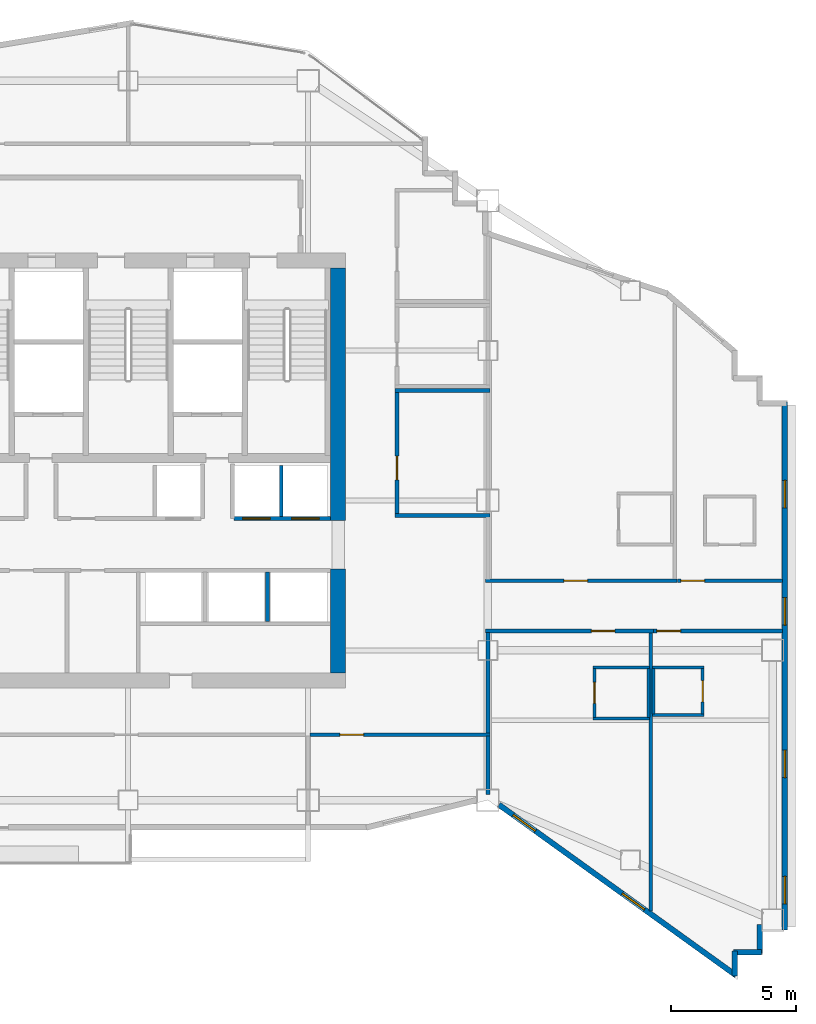
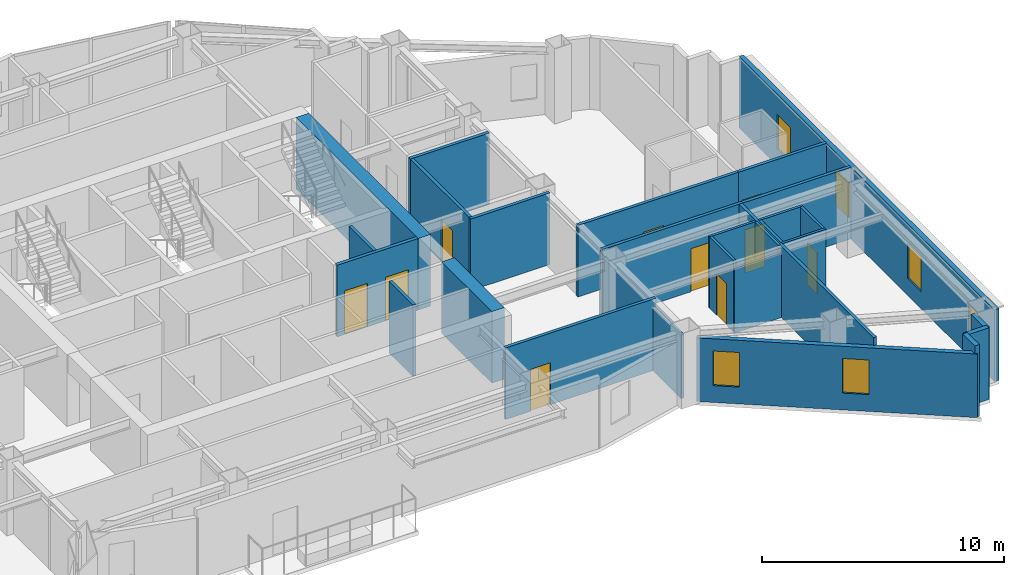
# One storey, part 7 of 12: 29 walls, 10 doors, 6 windows, 16 openings.
"""IFC4 building model written with IfcOpenShell, lengths in metres."""

import ifcopenshell
import ifcopenshell.guid

model = None  # the IFC model being written
_history = None  # IfcOwnerHistory: only IFC2X3 demands one
_inside = {}  # id of a spatial element -> (the spatial element, [elements in it])
_under = {}  # id of a project, library or spatial element -> (it, [spatial elements below it])
_declared = {}  # id of a project -> (the project, [libraries it declares])
_typed = {}  # id of a type object -> (the type object, [elements of that type])
_made_of = {}  # id of a material, layer set ... -> (it, [elements and type objects made of it])


def new_model(schema):
    """Start an empty IFC model of exactly this schema.

    Asked for "IFC4X3", IfcOpenShell would pick the latest addendum, in which some entities
    have other attributes; the version numbers below select the first issue.
    IFC2X3 requires an IfcOwnerHistory on every rooted entity: one is made here for all.
    """
    global model, _history
    if schema == "IFC4X3":
        model = ifcopenshell.file(schema_version=(4, 3, 0, 0))
    else:
        model = ifcopenshell.file(schema=schema)
    _inside.clear()
    _under.clear()
    _declared.clear()
    _typed.clear()
    _made_of.clear()
    _history = None
    if model.schema == "IFC2X3":
        org = make("IfcOrganization", Name="unknown")
        user = make(
            "IfcPersonAndOrganization",
            ThePerson=make("IfcPerson", FamilyName="unknown"),
            TheOrganization=org,
        )
        app = make(
            "IfcApplication",
            ApplicationDeveloper=org,
            Version="unknown",
            ApplicationFullName="unknown",
            ApplicationIdentifier="unknown",
        )
        _history = make(
            "IfcOwnerHistory",
            OwningUser=user,
            OwningApplication=app,
            ChangeAction="ADDED",
            CreationDate=0,
        )
    return model


def make(cls, **values):
    """One entity of the class cls with the attributes given. An attribute that is None is left unset."""
    return model.create_entity(
        cls, **{name: value for name, value in values.items() if value is not None}
    )


def rooted(cls, **values):
    """An entity with a GlobalId (a new one), such as an element, a storey or a relation."""
    return make(cls, GlobalId=ifcopenshell.guid.new(), OwnerHistory=_history, **values)


def si_unit(unit_type, name, prefix=None):
    """IfcSIUnit, for example si_unit("LENGTHUNIT", "METRE", prefix="MILLI")."""
    return make("IfcSIUnit", UnitType=unit_type, Prefix=prefix, Name=name)


def assignment(units):
    """IfcUnitAssignment: the units of a project."""
    return None if units is None else make("IfcUnitAssignment", Units=units)


def point(xyz):
    """IfcCartesianPoint."""
    return None if xyz is None else make("IfcCartesianPoint", Coordinates=xyz)


def direction(xyz):
    """IfcDirection."""
    return None if xyz is None else make("IfcDirection", DirectionRatios=xyz)


def frame(location, z_axis=None, x_axis=None):
    """IfcAxis2Placement3D, a coordinate frame: its origin and axes. An axis left out is left unset."""
    return make(
        "IfcAxis2Placement3D",
        Location=point(location),
        Axis=direction(z_axis),
        RefDirection=direction(x_axis),
    )


def frame_2d(location, x_axis=None):
    """IfcAxis2Placement2D, a coordinate frame in the plane: its origin and x axis."""
    return make(
        "IfcAxis2Placement2D", Location=point(location), RefDirection=direction(x_axis)
    )


def origin():
    """The frame at (0, 0, 0) with its axes left unset."""
    return frame((0.0, 0.0, 0.0))


def place(relative_to, where):
    """IfcLocalPlacement: puts the frame where relative to a parent placement (None: the world)."""
    return make(
        "IfcLocalPlacement", PlacementRelTo=relative_to, RelativePlacement=where
    )


def context(
    kind, dimensions, precision=None, world=None, true_north=None, identifier=None
):
    """IfcGeometricRepresentationContext, for example the 3D "Model" context."""
    return make(
        "IfcGeometricRepresentationContext",
        ContextIdentifier=identifier,
        ContextType=kind,
        CoordinateSpaceDimension=dimensions,
        Precision=precision,
        WorldCoordinateSystem=world,
        TrueNorth=true_north,
    )


def subcontext(parent, identifier, kind, view, scale=None):
    """IfcGeometricRepresentationSubContext, for example "Body" below "Model"."""
    return make(
        "IfcGeometricRepresentationSubContext",
        ContextIdentifier=identifier,
        ContextType=kind,
        ParentContext=parent,
        TargetScale=scale,
        TargetView=view,
    )


def project(units=None, contexts=None):
    """IfcProject with its units and contexts."""
    return rooted(
        "IfcProject",
        Name="project",
        RepresentationContexts=contexts,
        UnitsInContext=assignment(units),
    )


def spatial(cls, under=None, at=None, **own):
    """A site, building, storey or space (cls), placed at a placement, below another one or the project."""
    s = rooted(cls, ObjectPlacement=at, **own)
    if under is not None:
        _under.setdefault(under.id(), (under, []))[1].append(s)
    return s


def profile(cls, at=None, kind="AREA", **sizes):
    """A parametric profile (cls). Its sizes go by their IFC names, for example OverallWidth=200.0."""
    return make(cls, ProfileType=kind, Position=at, **sizes)


def rectangle(**sizes):
    """IfcRectangleProfileDef."""
    return profile("IfcRectangleProfileDef", **sizes)


def extrude(swept, where, along, depth):
    """IfcExtrudedAreaSolid: the profile swept, set in the frame where, extruded along a direction by depth."""
    return make(
        "IfcExtrudedAreaSolid",
        SweptArea=swept,
        Position=where,
        ExtrudedDirection=direction(along),
        Depth=depth,
    )


def shape(context_of_items, identifier, shape_type, items):
    """IfcShapeRepresentation: the items that make up one representation, for example the "Body"."""
    return make(
        "IfcShapeRepresentation",
        ContextOfItems=context_of_items,
        RepresentationIdentifier=identifier,
        RepresentationType=shape_type,
        Items=items,
    )


def material(Name=None, Category=None):
    """IfcMaterial."""
    return make("IfcMaterial", Name=Name, Category=Category)


def layer(
    of_material, thickness, ventilated=None, Name=None, Category=None, Priority=None
):
    """IfcMaterialLayer: one layer of a wall or slab, of a material (None: an air gap)."""
    return make(
        "IfcMaterialLayer",
        Material=of_material,
        LayerThickness=thickness,
        IsVentilated=ventilated,
        Name=Name,
        Category=Category,
        Priority=Priority,
    )


def layer_set(layers, Name=None):
    """IfcMaterialLayerSet."""
    return make("IfcMaterialLayerSet", MaterialLayers=layers, LayerSetName=Name)


def made_of(thing, what):
    """Note that an element or type object is made of a material, layer set ...; save() writes the relation."""
    if what is not None:
        _made_of.setdefault(what.id(), (what, []))[1].append(thing)
    return thing


def type_object(cls, material=None, **own):
    """A type object (cls), such as IfcWallType, which elements share."""
    return made_of(rooted(cls, **own), material)


def element(
    cls,
    number,
    at=None,
    inside=None,
    cuts=None,
    type_object=None,
    material=None,
    context=None,
    identifier="Body",
    shape_type=None,
    held_by="IfcProductDefinitionShape",
    body=None,
    shapes=None,
    **own,
):
    """One element of the class cls, such as IfcWall. Its Tag is "e" and its number.

    at: its placement. inside: the storey or other place that contains it. cuts: it is an
    opening in that element (IfcRelVoidsElement). A single representation is given by context,
    identifier, shape_type and body (its items); several are given by shapes. held_by: the class
    of the entity that holds the representations. save() writes the other relations.
    """
    e = rooted(cls, Tag="e%d" % number, ObjectPlacement=at, **own)
    if body is not None:
        shapes = [shape(context, identifier, shape_type, body)]
    if shapes is not None:
        e.Representation = make(held_by, Representations=shapes)
    if inside is not None:
        _inside.setdefault(inside.id(), (inside, []))[1].append(e)
    if cuts is not None:
        rooted(
            "IfcRelVoidsElement", RelatingBuildingElement=cuts, RelatedOpeningElement=e
        )
    if type_object is not None:
        _typed.setdefault(type_object.id(), (type_object, []))[1].append(e)
    return made_of(e, material)


def fill(opening, filler):
    """IfcRelFillsElement: the door or window that sits in an opening."""
    return rooted(
        "IfcRelFillsElement",
        RelatingOpeningElement=opening,
        RelatedBuildingElement=filler,
    )


def aggregate(whole, parts):
    """IfcRelAggregates: a whole, such as a stair, and the parts it consists of."""
    return rooted("IfcRelAggregates", RelatingObject=whole, RelatedObjects=parts)


def save(model, path):
    """Write the relations noted so far, then the file.

    IfcRelAggregates (storeys below a building ...), IfcRelContainedInSpatialStructure (elements
    in a storey), IfcRelDefinesByType, IfcRelAssociatesMaterial and IfcRelDeclares: one each for
    every whole, place, type object, material and project.
    """
    for whole, parts in _under.values():
        aggregate(whole, parts)
    for where, things in _inside.values():
        rooted(
            "IfcRelContainedInSpatialStructure",
            RelatedElements=things,
            RelatingStructure=where,
        )
    for kind, things in _typed.values():
        rooted("IfcRelDefinesByType", RelatedObjects=things, RelatingType=kind)
    for what, things in _made_of.values():
        rooted("IfcRelAssociatesMaterial", RelatedObjects=things, RelatingMaterial=what)
    for by, libraries in _declared.values():
        rooted("IfcRelDeclares", RelatingContext=by, RelatedDefinitions=libraries)
    model.write(path)


model = new_model("IFC4")

# Units and contexts
model_context = context("Model", 3, precision=1e-05, world=origin(), true_north=direction((0.0, 1.0)))
body_context = subcontext(model_context, "Body", "Model", "MODEL_VIEW")
ifc_project = project(units=[si_unit("LENGTHUNIT", "METRE"), si_unit("AREAUNIT", "SQUARE_METRE"), si_unit("VOLUMEUNIT", "CUBIC_METRE"), si_unit("PLANEANGLEUNIT", "RADIAN"), si_unit("MASSUNIT", "GRAM", prefix="KILO")], contexts=[model_context])

# Site, building, storey
site_placement = place(None, origin())
site = spatial("IfcSite", under=ifc_project, at=site_placement, CompositionType="ELEMENT")
building_placement = place(site_placement, origin())
building = spatial("IfcBuilding", under=site, at=building_placement, Name="Haolan Belvedere Tower", CompositionType="ELEMENT")
storey_placement = place(building_placement, frame((0.0, 0.0, 184.199951171875)))
storey = spatial("IfcBuildingStorey", under=building, at=storey_placement, Name="L46", CompositionType="ELEMENT", Elevation=184.199951171875)

# Walls
ifc_material_1 = material(Name="Concrete C60/75", Category="concrete")
ifc_layer_1 = layer(ifc_material_1, 0.60009765625, Name="Concrete C60/75")
ifc_layer_set_1 = layer_set([ifc_layer_1], Name="Concrete C60/75")
wall_type_1 = type_object("IfcWallType", Name="WL-CORE-600", PredefinedType="SHEAR", material=ifc_layer_set_1)
wall_1_placement = place(storey_placement, frame((46.800048828125, 26.699951171875, 0.0), z_axis=(0.0, 0.0, 1.0), x_axis=(0.0, 1.0, 0.0)))
element("IfcWall", 1, at=wall_1_placement, inside=storey, type_object=wall_type_1, Name="L46 central core shear wall ES", PredefinedType="SHEAR", context=body_context, shape_type="SweptSolid", body=[
    extrude(rectangle(XDim=4.150146484375, YDim=0.60009765625, at=frame_2d((2.0751953125, 0.0))), origin(), (0.0, 0.0, 1.0), 3.6201171875),
])
wall_2_placement = place(storey_placement, frame((46.800048828125, 32.800048828125, 0.0), z_axis=(0.0, 0.0, 1.0), x_axis=(0.0, 1.0, 0.0)))
element("IfcWall", 2, at=wall_2_placement, inside=storey, type_object=wall_type_1, Name="L46 central core shear wall EN", PredefinedType="SHEAR", context=body_context, shape_type="SweptSolid", body=[
    extrude(rectangle(XDim=10.099853515625, YDim=0.60009765625, at=frame_2d((5.0498046875, 0.0))), origin(), (0.0, 0.0, 1.0), 3.6201171875),
])

# Wall, openings, windows
ifc_material_2 = material(Name="Precast concrete C40/50", Category="concrete")
ifc_layer_2 = layer(ifc_material_2, 0.219970703125, Name="Precast concrete C40/50")
ifc_layer_set_2 = layer_set([ifc_layer_2], Name="Precast concrete C40/50")
wall_type_2 = type_object("IfcWallType", Name="WL-EXT-220", PredefinedType="SOLIDWALL", material=ifc_layer_set_2)
wall_3_placement = place(storey_placement, frame((53.241943359375, 21.417236328125, 0.0), z_axis=(0.0, 0.0, 1.0), x_axis=(0.811534737332, -0.58430417601, 0.0)))
wall_3 = element("IfcWall", 3, at=wall_3_placement, inside=storey, type_object=wall_type_2, Name="L46 pale-metal exterior spandrel wall 3.1", PredefinedType="SOLIDWALL", context=body_context, shape_type="SweptSolid", body=[
    extrude(rectangle(XDim=11.697265625, YDim=0.219970703125, at=frame_2d((5.8486328125, 0.0))), origin(), (0.0, 0.0, 1.0), 3.215087890625),
])
opening_1_placement = place(wall_3_placement, frame((0.699951171875, 0.0, 0.85009765625)))
opening_1 = element("IfcOpeningElement", 4, at=opening_1_placement, cuts=wall_3, Name="Opening W-03", PredefinedType="OPENING", context=body_context, shape_type="SweptSolid", body=[
    extrude(rectangle(XDim=1.10009765625, YDim=1.75, at=frame_2d((0.550048828125, 0.875))), frame((0.0, 0.119873046875, 0.0), z_axis=(0.0, -1.0, 0.0), x_axis=(1.0, 0.0, 0.0)), (0.0, 0.0, 1.0), 0.239990234375),
])
opening_2_placement = place(wall_3_placement, frame((6.0810546875, 0.0, 0.85009765625)))
opening_2 = element("IfcOpeningElement", 5, at=opening_2_placement, cuts=wall_3, Name="Opening W-03", PredefinedType="OPENING", context=body_context, shape_type="SweptSolid", body=[
    extrude(rectangle(XDim=1.10009765625, YDim=1.75, at=frame_2d((0.550048828125, 0.875))), frame((0.0, 0.119873046875, 0.0), z_axis=(0.0, -1.0, 0.0), x_axis=(1.0, 0.0, 0.0)), (0.0, 0.0, 1.0), 0.239990234375),
])
ifc_material_3 = material(Name="Anodised aluminium 6063-T6 and Low-E glass", Category="aluminium")
window_type = type_object("IfcWindowType", Name="WN-DECO-Z3", PartitioningType="SINGLE_PANEL", PredefinedType="WINDOW", material=ifc_material_3)
window_1_placement = place(opening_1_placement, origin())
window_1 = element("IfcWindow", 6, at=window_1_placement, inside=storey, type_object=window_type, Name="L46 Art Deco chevron window 1", OverallHeight=1.75, OverallWidth=1.10009765625, PartitioningType="SINGLE_PANEL", PredefinedType="WINDOW", context=body_context, shape_type="SweptSolid", body=[
    extrude(rectangle(XDim=1.10009765625, YDim=1.75, at=frame_2d((0.550048828125, 0.875))), frame((0.0, 0.030029296875, 0.0), z_axis=(0.0, -1.0, 0.0), x_axis=(1.0, 0.0, 0.0)), (0.0, 0.0, 1.0), 0.06005859375),
])
fill(opening_1, window_1)
window_2_placement = place(opening_2_placement, origin())
window_2 = element("IfcWindow", 7, at=window_2_placement, inside=storey, type_object=window_type, Name="L46 Art Deco chevron window 2", OverallHeight=1.75, OverallWidth=1.10009765625, PartitioningType="SINGLE_PANEL", PredefinedType="WINDOW", context=body_context, shape_type="SweptSolid", body=[
    extrude(rectangle(XDim=1.10009765625, YDim=1.75, at=frame_2d((0.550048828125, 0.875))), frame((0.0, 0.030029296875, 0.0), z_axis=(0.0, -1.0, 0.0), x_axis=(1.0, 0.0, 0.0)), (0.0, 0.0, 1.0), 0.06005859375),
])
fill(opening_2, window_2)

# Walls
wall_4_placement = place(storey_placement, frame((62.68994140625, 14.559814453125, 0.0), z_axis=(0.0, 0.0, 1.0), x_axis=(0.0, 1.0, 0.0)))
element("IfcWall", 8, at=wall_4_placement, inside=storey, type_object=wall_type_2, Name="L46 pale-metal exterior spandrel wall 4.1", PredefinedType="SOLIDWALL", context=body_context, shape_type="SweptSolid", body=[
    extrude(rectangle(XDim=1.005126953125, YDim=0.219970703125, at=frame_2d((0.50244140625, 0.0))), origin(), (0.0, 0.0, 1.0), 3.6201171875),
])
wall_5_placement = place(storey_placement, frame((62.635009765625, 15.510009765625, 0.0), z_axis=(0.0, 0.0, 1.0), x_axis=(1.0, 0.0, 0.0)))
element("IfcWall", 9, at=wall_5_placement, inside=storey, type_object=wall_type_2, Name="L46 pale-metal exterior spandrel wall 5.1", PredefinedType="SOLIDWALL", context=body_context, shape_type="SweptSolid", body=[
    extrude(rectangle(XDim=1.110107421875, YDim=0.219970703125, at=frame_2d((0.55517578125, 0.0))), origin(), (0.0, 0.0, 1.0), 3.6201171875),
])
wall_6_placement = place(storey_placement, frame((63.68994140625, 15.455078125, 0.0), z_axis=(0.0, 0.0, 1.0), x_axis=(0.0, 1.0, 0.0)))
element("IfcWall", 10, at=wall_6_placement, inside=storey, type_object=wall_type_2, Name="L46 pale-metal exterior spandrel wall 6.1", PredefinedType="SOLIDWALL", context=body_context, shape_type="SweptSolid", body=[
    extrude(rectangle(XDim=1.1650390625, YDim=0.219970703125, at=frame_2d((0.58251953125, 0.0))), origin(), (0.0, 0.0, 1.0), 3.6201171875),
])

# Wall, openings, windows
wall_7_placement = place(storey_placement, frame((64.68994140625, 16.39990234375, 0.0), z_axis=(0.0, 0.0, 1.0), x_axis=(0.0, 1.0, 0.0)))
wall_7 = element("IfcWall", 11, at=wall_7_placement, inside=storey, type_object=wall_type_2, Name="L46 pale-metal exterior spandrel wall 8.1", PredefinedType="SOLIDWALL", context=body_context, shape_type="SweptSolid", body=[
    extrude(rectangle(XDim=21.14501953125, YDim=0.219970703125, at=frame_2d((10.572509765625, 0.0))), origin(), (0.0, 0.0, 1.0), 3.6201171875),
])
opening_3_placement = place(wall_7_placement, frame((1.050048828125, 0.0, 0.85009765625)))
opening_3 = element("IfcOpeningElement", 12, at=opening_3_placement, cuts=wall_7, Name="Opening W-03", PredefinedType="OPENING", context=body_context, shape_type="SweptSolid", body=[
    extrude(rectangle(XDim=1.10009765625, YDim=1.75, at=frame_2d((0.550048828125, 0.875))), frame((0.0, 0.119873046875, 0.0), z_axis=(0.0, -1.0, 0.0), x_axis=(1.0, 0.0, 0.0)), (0.0, 0.0, 1.0), 0.239990234375),
])
opening_4_placement = place(wall_7_placement, frame((6.10009765625, 0.0, 0.85009765625)))
opening_4 = element("IfcOpeningElement", 13, at=opening_4_placement, cuts=wall_7, Name="Opening W-03", PredefinedType="OPENING", context=body_context, shape_type="SweptSolid", body=[
    extrude(rectangle(XDim=1.10009765625, YDim=1.75, at=frame_2d((0.550048828125, 0.875))), frame((0.0, 0.119873046875, 0.0), z_axis=(0.0, -1.0, 0.0), x_axis=(1.0, 0.0, 0.0)), (0.0, 0.0, 1.0), 0.239990234375),
])
opening_5_placement = place(wall_7_placement, frame((12.205078125, 0.0, 0.85009765625)))
opening_5 = element("IfcOpeningElement", 14, at=opening_5_placement, cuts=wall_7, Name="Opening W-03", PredefinedType="OPENING", context=body_context, shape_type="SweptSolid", body=[
    extrude(rectangle(XDim=1.10009765625, YDim=1.75, at=frame_2d((0.550048828125, 0.875))), frame((0.0, 0.119873046875, 0.0), z_axis=(0.0, -1.0, 0.0), x_axis=(1.0, 0.0, 0.0)), (0.0, 0.0, 1.0), 0.239990234375),
])
opening_6_placement = place(wall_7_placement, frame((16.89990234375, 0.0, 0.85009765625)))
opening_6 = element("IfcOpeningElement", 15, at=opening_6_placement, cuts=wall_7, Name="Opening W-03", PredefinedType="OPENING", context=body_context, shape_type="SweptSolid", body=[
    extrude(rectangle(XDim=1.10009765625, YDim=1.75, at=frame_2d((0.550048828125, 0.875))), frame((0.0, 0.119873046875, 0.0), z_axis=(0.0, -1.0, 0.0), x_axis=(1.0, 0.0, 0.0)), (0.0, 0.0, 1.0), 0.239990234375),
])
window_3_placement = place(opening_3_placement, origin())
window_3 = element("IfcWindow", 16, at=window_3_placement, inside=storey, type_object=window_type, Name="L46 Art Deco chevron window 1", OverallHeight=1.75, OverallWidth=1.10009765625, PartitioningType="SINGLE_PANEL", PredefinedType="WINDOW", context=body_context, shape_type="SweptSolid", body=[
    extrude(rectangle(XDim=1.10009765625, YDim=1.75, at=frame_2d((0.550048828125, 0.875))), frame((0.0, 0.030029296875, 0.0), z_axis=(0.0, -1.0, 0.0), x_axis=(1.0, 0.0, 0.0)), (0.0, 0.0, 1.0), 0.06005859375),
])
fill(opening_3, window_3)
window_4_placement = place(opening_4_placement, origin())
window_4 = element("IfcWindow", 17, at=window_4_placement, inside=storey, type_object=window_type, Name="L46 Art Deco chevron window 2", OverallHeight=1.75, OverallWidth=1.10009765625, PartitioningType="SINGLE_PANEL", PredefinedType="WINDOW", context=body_context, shape_type="SweptSolid", body=[
    extrude(rectangle(XDim=1.10009765625, YDim=1.75, at=frame_2d((0.550048828125, 0.875))), frame((0.0, 0.030029296875, 0.0), z_axis=(0.0, -1.0, 0.0), x_axis=(1.0, 0.0, 0.0)), (0.0, 0.0, 1.0), 0.06005859375),
])
fill(opening_4, window_4)
window_5_placement = place(opening_5_placement, origin())
window_5 = element("IfcWindow", 18, at=window_5_placement, inside=storey, type_object=window_type, Name="L46 Art Deco chevron window 3", OverallHeight=1.75, OverallWidth=1.10009765625, PartitioningType="SINGLE_PANEL", PredefinedType="WINDOW", context=body_context, shape_type="SweptSolid", body=[
    extrude(rectangle(XDim=1.10009765625, YDim=1.75, at=frame_2d((0.550048828125, 0.875))), frame((0.0, 0.030029296875, 0.0), z_axis=(0.0, -1.0, 0.0), x_axis=(1.0, 0.0, 0.0)), (0.0, 0.0, 1.0), 0.06005859375),
])
fill(opening_5, window_5)
window_6_placement = place(opening_6_placement, origin())
window_6 = element("IfcWindow", 19, at=window_6_placement, inside=storey, type_object=window_type, Name="L46 Art Deco chevron window 4", OverallHeight=1.75, OverallWidth=1.10009765625, PartitioningType="SINGLE_PANEL", PredefinedType="WINDOW", context=body_context, shape_type="SweptSolid", body=[
    extrude(rectangle(XDim=1.10009765625, YDim=1.75, at=frame_2d((0.550048828125, 0.875))), frame((0.0, 0.030029296875, 0.0), z_axis=(0.0, -1.0, 0.0), x_axis=(1.0, 0.0, 0.0)), (0.0, 0.0, 1.0), 0.06005859375),
])
fill(opening_6, window_6)

# Walls
ifc_material_4 = material(Name="Double gypsum acoustic stud partition", Category="masonry")
ifc_layer_3 = layer(ifc_material_4, 0.14990234375, Name="Double gypsum acoustic stud partition")
ifc_layer_set_3 = layer_set([ifc_layer_3], Name="Double gypsum acoustic stud partition")
wall_type_3 = type_object("IfcWallType", Name="WL-PART-150", PredefinedType="PARTITIONING", material=ifc_layer_set_3)
for number, where, z_axis, x_axis, name in (
    (20, (49.080078125, 38.0, 0.0), (0.0, 0.0, 1.0), (1.0, 0.0, 0.0), "L46 interior partition IW-L46-BPN-N"),
    (21, (49.080078125, 33.0, 0.0), (0.0, 0.0, 1.0), (1.0, 0.0, 0.0), "L46 interior partition IW-L46-BPN-S"),
):
    element("IfcWall", number, at=place(storey_placement, frame(where, z_axis=z_axis, x_axis=x_axis)), inside=storey, type_object=wall_type_3, Name=name, PredefinedType="PARTITIONING", context=body_context, shape_type="SweptSolid", body=[
        extrude(rectangle(XDim=3.7998046875, YDim=0.14990234375, at=frame_2d((1.89990234375, 0.0))), origin(), (0.0, 0.0, 1.0), 3.6201171875),
    ])

# Wall, opening, door
wall_8_placement = place(storey_placement, frame((49.159912109375, 33.06005859375, 0.0), z_axis=(0.0, 0.0, 1.0), x_axis=(0.0, 1.0, 0.0)))
wall_8 = element("IfcWall", 22, at=wall_8_placement, inside=storey, type_object=wall_type_3, Name="L46 interior partition IW-L46-BPN-W", PredefinedType="PARTITIONING", context=body_context, shape_type="SweptSolid", body=[
    extrude(rectangle(XDim=4.8798828125, YDim=0.14990234375, at=frame_2d((2.43994140625, 0.0))), origin(), (0.0, 0.0, 1.0), 3.6201171875),
])
opening_7_placement = place(wall_8_placement, frame((1.360107421875, 0.0, 0.0)))
opening_7 = element("IfcOpeningElement", 23, at=opening_7_placement, cuts=wall_8, Name="Opening ID-03", PredefinedType="OPENING", context=body_context, shape_type="SweptSolid", body=[
    extrude(rectangle(XDim=0.949951171875, YDim=2.1201171875, at=frame_2d((0.47509765625, 1.06005859375))), frame((0.0, 0.0849609375, 0.0), z_axis=(0.0, -1.0, 0.0), x_axis=(1.0, 0.0, 0.0)), (0.0, 0.0, 1.0), 0.169921875),
])
ifc_material_5 = material(Name="Painted solid-core timber", Category="wood")
door_type_1 = type_object("IfcDoorType", Name="DR-INT-950", OperationType="NOTDEFINED", PredefinedType="DOOR", material=ifc_material_5)
door_1_placement = place(opening_7_placement, origin())
door_1 = element("IfcDoor", 24, at=door_1_placement, inside=storey, type_object=door_type_1, Name="L46 door ID-L46-BPN", OperationType="SINGLE_SWING_RIGHT", OverallHeight=2.1201171875, OverallWidth=0.949951171875, PredefinedType="DOOR", context=body_context, shape_type="SweptSolid", body=[
    extrude(rectangle(XDim=0.949951171875, YDim=2.1201171875, at=frame_2d((0.47509765625, 1.06005859375))), frame((0.0, 0.02490234375, 0.0), z_axis=(0.0, -1.0, 0.0), x_axis=(1.0, 0.0, 0.0)), (0.0, 0.0, 1.0), 0.050048828125),
])
fill(opening_7, door_1)

wall_9_placement = place(storey_placement, frame((45.681884765625, 24.219970703125, 0.0), z_axis=(0.0, 0.0, 1.0), x_axis=(1.0, 0.0, 0.0)))
wall_9 = element("IfcWall", 25, at=wall_9_placement, inside=storey, type_object=wall_type_3, Name="L46 interior partition IW-L46-KS3-N", PredefinedType="PARTITIONING", context=body_context, shape_type="SweptSolid", body=[
    extrude(rectangle(XDim=7.197998046875, YDim=0.14990234375, at=frame_2d((3.59912109375, 0.0))), origin(), (0.0, 0.0, 1.0), 3.6201171875),
])
opening_8_placement = place(wall_9_placement, frame((2.14306640625, 0.0, 0.0), z_axis=(0.0, 0.0, 1.0), x_axis=(-1.0, 0.0, 0.0)))
opening_8 = element("IfcOpeningElement", 26, at=opening_8_placement, cuts=wall_9, Name="Opening ID-03", PredefinedType="OPENING", context=body_context, shape_type="SweptSolid", body=[
    extrude(rectangle(XDim=0.949951171875, YDim=2.1201171875, at=frame_2d((0.47509765625, 1.06005859375))), frame((0.0, 0.0849609375, 0.0), z_axis=(0.0, -1.0, 0.0), x_axis=(1.0, 0.0, 0.0)), (0.0, 0.0, 1.0), 0.169921875),
])
door_2_placement = place(opening_8_placement, origin())
door_2 = element("IfcDoor", 27, at=door_2_placement, inside=storey, type_object=door_type_1, Name="L46 door ID-L46-KS3", OperationType="SINGLE_SWING_RIGHT", OverallHeight=2.1201171875, OverallWidth=0.949951171875, PredefinedType="DOOR", context=body_context, shape_type="SweptSolid", body=[
    extrude(rectangle(XDim=0.949951171875, YDim=2.1201171875, at=frame_2d((0.47509765625, 1.06005859375))), frame((0.0, 0.02490234375, 0.0), z_axis=(0.0, -1.0, 0.0), x_axis=(1.0, 0.0, 0.0)), (0.0, 0.0, 1.0), 0.050048828125),
])
fill(opening_8, door_2)

# Wall
wall_10_placement = place(storey_placement, frame((52.800048828125, 21.818603515625, 0.0), z_axis=(0.0, 0.0, 1.0), x_axis=(0.0, 1.0, 0.0)))
element("IfcWall", 28, at=wall_10_placement, inside=storey, type_object=wall_type_3, Name="L46 interior partition IW-L46-KS3-E", PredefinedType="PARTITIONING", context=body_context, shape_type="SweptSolid", body=[
    extrude(rectangle(XDim=2.34130859375, YDim=0.14990234375, at=frame_2d((1.170654296875, 0.0))), origin(), (0.0, 0.0, 1.0), 3.215087890625),
])

# Wall, opening, door
wall_11_placement = place(storey_placement, frame((52.699951171875, 30.3798828125, 0.0), z_axis=(0.0, 0.0, 1.0), x_axis=(1.0, 0.0, 0.0)))
wall_11 = element("IfcWall", 29, at=wall_11_placement, inside=storey, type_object=wall_type_3, Name="L46 interior partition IW-L46-T4N1-S", PredefinedType="PARTITIONING", context=body_context, shape_type="SweptSolid", body=[
    extrude(rectangle(XDim=7.679931640625, YDim=0.14990234375, at=frame_2d((3.83984375, 0.0))), origin(), (0.0, 0.0, 1.0), 3.6201171875),
])
opening_9_placement = place(wall_11_placement, frame((3.137451171875, 0.0, 0.0)))
opening_9 = element("IfcOpeningElement", 30, at=opening_9_placement, cuts=wall_11, Name="Opening ID-01", PredefinedType="OPENING", context=body_context, shape_type="SweptSolid", body=[
    extrude(rectangle(XDim=0.949951171875, YDim=2.179931640625, at=frame_2d((0.47509765625, 1.08984375))), frame((0.0, 0.0849609375, 0.0), z_axis=(0.0, -1.0, 0.0), x_axis=(1.0, 0.0, 0.0)), (0.0, 0.0, 1.0), 0.169921875),
])
ifc_material_6 = material(Name="Acoustic walnut veneer fire-rated timber", Category="wood")
door_type_2 = type_object("IfcDoorType", Name="DR-SUITE-950", OperationType="NOTDEFINED", PredefinedType="DOOR", material=ifc_material_6)
door_3_placement = place(opening_9_placement, origin())
door_3 = element("IfcDoor", 31, at=door_3_placement, inside=storey, type_object=door_type_2, Name="L46 door ID-L46-T4N1-ENT", OperationType="SINGLE_SWING_LEFT", OverallHeight=2.179931640625, OverallWidth=0.949951171875, PredefinedType="DOOR", context=body_context, shape_type="SweptSolid", body=[
    extrude(rectangle(XDim=0.949951171875, YDim=2.179931640625, at=frame_2d((0.47509765625, 1.08984375))), frame((0.0, 0.02490234375, 0.0), z_axis=(0.0, -1.0, 0.0), x_axis=(1.0, 0.0, 0.0)), (0.0, 0.0, 1.0), 0.050048828125),
])
fill(opening_9, door_3)

wall_12_placement = place(storey_placement, frame((60.382080078125, 30.3798828125, 0.0), z_axis=(0.0, 0.0, 1.0), x_axis=(1.0, 0.0, 0.0)))
wall_12 = element("IfcWall", 32, at=wall_12_placement, inside=storey, type_object=wall_type_3, Name="L46 interior partition IW-L46-T4N2-S", PredefinedType="PARTITIONING", context=body_context, shape_type="SweptSolid", body=[
    extrude(rectangle(XDim=4.205810546875, YDim=0.14990234375, at=frame_2d((2.10302734375, 0.0))), origin(), (0.0, 0.0, 1.0), 3.6201171875),
])
opening_10_placement = place(wall_12_placement, frame((0.139892578125, 0.0, 0.0)))
opening_10 = element("IfcOpeningElement", 33, at=opening_10_placement, cuts=wall_12, Name="Opening ID-02", PredefinedType="OPENING", context=body_context, shape_type="SweptSolid", body=[
    extrude(rectangle(XDim=0.949951171875, YDim=2.14990234375, at=frame_2d((0.47509765625, 1.074951171875))), frame((0.0, 0.0849609375, 0.0), z_axis=(0.0, -1.0, 0.0), x_axis=(1.0, 0.0, 0.0)), (0.0, 0.0, 1.0), 0.169921875),
])
ifc_material_7 = material(Name="Acoustic oak veneer fire-rated timber", Category="wood")
door_type_3 = type_object("IfcDoorType", Name="DR-GUEST-950", OperationType="NOTDEFINED", PredefinedType="DOOR", material=ifc_material_7)
door_4_placement = place(opening_10_placement, origin())
door_4 = element("IfcDoor", 34, at=door_4_placement, inside=storey, type_object=door_type_3, Name="L46 door ID-L46-T4N2-ENT", OperationType="SINGLE_SWING_RIGHT", OverallHeight=2.14990234375, OverallWidth=0.949951171875, PredefinedType="DOOR", context=body_context, shape_type="SweptSolid", body=[
    extrude(rectangle(XDim=0.949951171875, YDim=2.14990234375, at=frame_2d((0.47509765625, 1.074951171875))), frame((0.0, 0.02490234375, 0.0), z_axis=(0.0, -1.0, 0.0), x_axis=(1.0, 0.0, 0.0)), (0.0, 0.0, 1.0), 0.050048828125),
])
fill(opening_10, door_4)

wall_13_placement = place(storey_placement, frame((52.699951171875, 28.3701171875, 0.0), z_axis=(0.0, 0.0, 1.0), x_axis=(1.0, 0.0, 0.0)))
wall_13 = element("IfcWall", 35, at=wall_13_placement, inside=storey, type_object=wall_type_3, Name="L46 interior partition IW-L46-T4S1-N", PredefinedType="PARTITIONING", context=body_context, shape_type="SweptSolid", body=[
    extrude(rectangle(XDim=6.719970703125, YDim=0.14990234375, at=frame_2d((3.35986328125, 0.0))), origin(), (0.0, 0.0, 1.0), 3.6201171875),
])
opening_11_placement = place(wall_13_placement, frame((5.1875, 0.0, 0.0), z_axis=(0.0, 0.0, 1.0), x_axis=(-1.0, 0.0, 0.0)))
opening_11 = element("IfcOpeningElement", 36, at=opening_11_placement, cuts=wall_13, Name="Opening ID-01", PredefinedType="OPENING", context=body_context, shape_type="SweptSolid", body=[
    extrude(rectangle(XDim=0.949951171875, YDim=2.179931640625, at=frame_2d((0.47509765625, 1.08984375))), frame((0.0, 0.0849609375, 0.0), z_axis=(0.0, -1.0, 0.0), x_axis=(1.0, 0.0, 0.0)), (0.0, 0.0, 1.0), 0.169921875),
])
door_5_placement = place(opening_11_placement, origin())
door_5 = element("IfcDoor", 37, at=door_5_placement, inside=storey, type_object=door_type_2, Name="L46 door ID-L46-T4S1-ENT", OperationType="SINGLE_SWING_LEFT", OverallHeight=2.179931640625, OverallWidth=0.949951171875, PredefinedType="DOOR", context=body_context, shape_type="SweptSolid", body=[
    extrude(rectangle(XDim=0.949951171875, YDim=2.179931640625, at=frame_2d((0.47509765625, 1.08984375))), frame((0.0, 0.02490234375, 0.0), z_axis=(0.0, -1.0, 0.0), x_axis=(1.0, 0.0, 0.0)), (0.0, 0.0, 1.0), 0.050048828125),
])
fill(opening_11, door_5)

# Walls
wall_14_placement = place(storey_placement, frame((52.800048828125, 24.280029296875, 0.0), z_axis=(0.0, 0.0, 1.0), x_axis=(0.0, 1.0, 0.0)))
element("IfcWall", 38, at=wall_14_placement, inside=storey, type_object=wall_type_3, Name="L46 interior partition IW-L46-T4S1-W", PredefinedType="PARTITIONING", context=body_context, shape_type="SweptSolid", body=[
    extrude(rectangle(XDim=4.030029296875, YDim=0.14990234375, at=frame_2d((2.01513671875, 0.0))), origin(), (0.0, 0.0, 1.0), 3.215087890625),
])
wall_15_placement = place(storey_placement, frame((59.320068359375, 17.166748046875, 0.0), z_axis=(0.0, 0.0, 1.0), x_axis=(0.0, 1.0, 0.0)))
element("IfcWall", 39, at=wall_15_placement, inside=storey, type_object=wall_type_3, Name="L46 interior partition IW-L46-T4S1-E", PredefinedType="PARTITIONING", context=body_context, shape_type="SweptSolid", body=[
    extrude(rectangle(XDim=11.143310546875, YDim=0.14990234375, at=frame_2d((5.57177734375, 0.0))), origin(), (0.0, 0.0, 1.0), 3.6201171875),
])

# Wall, opening, door
wall_16_placement = place(storey_placement, frame((59.422119140625, 28.3701171875, 0.0), z_axis=(0.0, 0.0, 1.0), x_axis=(1.0, 0.0, 0.0)))
wall_16 = element("IfcWall", 40, at=wall_16_placement, inside=storey, type_object=wall_type_3, Name="L46 interior partition IW-L46-T4S2-N", PredefinedType="PARTITIONING", context=body_context, shape_type="SweptSolid", body=[
    extrude(rectangle(XDim=5.165771484375, YDim=0.14990234375, at=frame_2d((2.5830078125, 0.0))), origin(), (0.0, 0.0, 1.0), 3.6201171875),
])
opening_12_placement = place(wall_16_placement, frame((1.08984375, 0.0, 0.0), z_axis=(0.0, 0.0, 1.0), x_axis=(-1.0, 0.0, 0.0)))
opening_12 = element("IfcOpeningElement", 41, at=opening_12_placement, cuts=wall_16, Name="Opening ID-01", PredefinedType="OPENING", context=body_context, shape_type="SweptSolid", body=[
    extrude(rectangle(XDim=0.949951171875, YDim=2.179931640625, at=frame_2d((0.47509765625, 1.08984375))), frame((0.0, 0.0849609375, 0.0), z_axis=(0.0, -1.0, 0.0), x_axis=(1.0, 0.0, 0.0)), (0.0, 0.0, 1.0), 0.169921875),
])
door_6_placement = place(opening_12_placement, origin())
door_6 = element("IfcDoor", 42, at=door_6_placement, inside=storey, type_object=door_type_2, Name="L46 door ID-L46-T4S2-ENT", OperationType="SINGLE_SWING_RIGHT", OverallHeight=2.179931640625, OverallWidth=0.949951171875, PredefinedType="DOOR", context=body_context, shape_type="SweptSolid", body=[
    extrude(rectangle(XDim=0.949951171875, YDim=2.179931640625, at=frame_2d((0.47509765625, 1.08984375))), frame((0.0, 0.02490234375, 0.0), z_axis=(0.0, -1.0, 0.0), x_axis=(1.0, 0.0, 0.0)), (0.0, 0.0, 1.0), 0.050048828125),
])
fill(opening_12, door_6)

# Wall, openings, doors
ifc_material_8 = material(Name="Gypsum fire shaftwall assembly", Category="masonry")
ifc_layer_4 = layer(ifc_material_8, 0.1650390625, Name="Gypsum fire shaftwall assembly")
ifc_layer_set_4 = layer_set([ifc_layer_4], Name="Gypsum fire shaftwall assembly")
wall_type_4 = type_object("IfcWallType", Name="WL-SHAFT-160", PredefinedType="SOLIDWALL", material=ifc_layer_set_4)
wall_17_placement = place(storey_placement, frame((42.6298828125, 32.8798828125, 0.0), z_axis=(0.0, 0.0, 1.0), x_axis=(1.0, 0.0, 0.0)))
wall_17 = element("IfcWall", 43, at=wall_17_placement, inside=storey, type_object=wall_type_4, Name="L46 interior partition IW-L46-ROW-PN3", PredefinedType="SOLIDWALL", context=body_context, shape_type="SweptSolid", body=[
    extrude(rectangle(XDim=3.8701171875, YDim=0.159912109375, at=frame_2d((1.93505859375, 0.0))), origin(), (0.0, 0.0, 1.0), 3.6201171875),
])
opening_13_placement = place(wall_17_placement, frame((1.4501953125, 0.0, 0.0), z_axis=(0.0, 0.0, 1.0), x_axis=(-1.0, 0.0, 0.0)))
opening_13 = element("IfcOpeningElement", 44, at=opening_13_placement, cuts=wall_17, Name="Opening LD-01", PredefinedType="OPENING", context=body_context, shape_type="SweptSolid", body=[
    extrude(rectangle(XDim=1.10009765625, YDim=2.199951171875, at=frame_2d((0.550048828125, 1.10009765625))), frame((0.0, 0.08984375, 0.0), z_axis=(0.0, -1.0, 0.0), x_axis=(1.0, 0.0, 0.0)), (0.0, 0.0, 1.0), 0.179931640625),
])
opening_14_placement = place(wall_17_placement, frame((3.41015625, 0.0, 0.0), z_axis=(0.0, 0.0, 1.0), x_axis=(-1.0, 0.0, 0.0)))
opening_14 = element("IfcOpeningElement", 45, at=opening_14_placement, cuts=wall_17, Name="Opening LD-01", PredefinedType="OPENING", context=body_context, shape_type="SweptSolid", body=[
    extrude(rectangle(XDim=1.10009765625, YDim=2.199951171875, at=frame_2d((0.550048828125, 1.10009765625))), frame((0.0, 0.08984375, 0.0), z_axis=(0.0, -1.0, 0.0), x_axis=(1.0, 0.0, 0.0)), (0.0, 0.0, 1.0), 0.179931640625),
])
ifc_material_9 = material(Name="Brushed champagne stainless steel 316L", Category="steel")
door_type_4 = type_object("IfcDoorType", Name="DR-LIFT-1100", OperationType="SLIDING_TO_LEFT", PredefinedType="DOOR", material=ifc_material_9)
door_7_placement = place(opening_13_placement, origin())
door_7 = element("IfcDoor", 46, at=door_7_placement, inside=storey, type_object=door_type_4, Name="L46 door ID-L46-LD-PH2", OperationType="SLIDING_TO_RIGHT", OverallHeight=2.199951171875, OverallWidth=1.10009765625, PredefinedType="DOOR", context=body_context, shape_type="SweptSolid", body=[
    extrude(rectangle(XDim=1.10009765625, YDim=2.199951171875, at=frame_2d((0.550048828125, 1.10009765625))), frame((0.0, 0.02490234375, 0.0), z_axis=(0.0, -1.0, 0.0), x_axis=(1.0, 0.0, 0.0)), (0.0, 0.0, 1.0), 0.050048828125),
])
fill(opening_13, door_7)
door_8_placement = place(opening_14_placement, origin())
door_8 = element("IfcDoor", 47, at=door_8_placement, inside=storey, type_object=door_type_4, Name="L46 door ID-L46-LD-PH3", OperationType="SLIDING_TO_RIGHT", OverallHeight=2.199951171875, OverallWidth=1.10009765625, PredefinedType="DOOR", context=body_context, shape_type="SweptSolid", body=[
    extrude(rectangle(XDim=1.10009765625, YDim=2.199951171875, at=frame_2d((0.550048828125, 1.10009765625))), frame((0.0, 0.02490234375, 0.0), z_axis=(0.0, -1.0, 0.0), x_axis=(1.0, 0.0, 0.0)), (0.0, 0.0, 1.0), 0.050048828125),
])
fill(opening_14, door_8)

# Walls
wall_18_placement = place(storey_placement, frame((44.530029296875, 32.949951171875, 0.0), z_axis=(0.0, 0.0, 1.0), x_axis=(0.0, 1.0, 0.0)))
element("IfcWall", 48, at=wall_18_placement, inside=storey, type_object=wall_type_4, Name="L46 interior partition IW-L46-DIV-PH2", PredefinedType="SOLIDWALL", context=body_context, shape_type="SweptSolid", body=[
    extrude(rectangle(XDim=2.050048828125, YDim=0.14990234375, at=frame_2d((1.02490234375, 0.0))), origin(), (0.0, 0.0, 1.0), 3.6201171875),
])
wall_19_placement = place(storey_placement, frame((43.97998046875, 28.75, 0.0), z_axis=(0.0, 0.0, 1.0), x_axis=(0.0, 1.0, 0.0)))
element("IfcWall", 49, at=wall_19_placement, inside=storey, type_object=wall_type_4, Name="L46 interior partition IW-L46-DIV-OB2", PredefinedType="SOLIDWALL", context=body_context, shape_type="SweptSolid", body=[
    extrude(rectangle(XDim=1.985107421875, YDim=0.14990234375, at=frame_2d((0.99267578125, 0.0))), origin(), (0.0, 0.0, 1.0), 3.6201171875),
])
ifc_material_10 = material(Name="Moisture-resistant gypsum tile partition", Category="masonry")
ifc_layer_5 = layer(ifc_material_10, 0.1201171875, Name="Moisture-resistant gypsum tile partition")
ifc_layer_set_5 = layer_set([ifc_layer_5], Name="Moisture-resistant gypsum tile partition")
wall_type_5 = type_object("IfcWallType", Name="WL-WET-120", PredefinedType="PARTITIONING", material=ifc_layer_set_5)
wall_20_placement = place(storey_placement, frame((57.010009765625, 26.919921875, 0.0), z_axis=(0.0, 0.0, 1.0), x_axis=(1.0, 0.0, 0.0)))
element("IfcWall", 50, at=wall_20_placement, inside=storey, type_object=wall_type_5, Name="L46 interior partition IW-L46-T4S1-BN", PredefinedType="PARTITIONING", context=body_context, shape_type="SweptSolid", body=[
    extrude(rectangle(XDim=2.25, YDim=0.1201171875, at=frame_2d((1.125, 0.0))), origin(), (0.0, 0.0, 1.0), 3.6201171875),
])
wall_21_placement = place(storey_placement, frame((57.010009765625, 24.8701171875, 0.0), z_axis=(0.0, 0.0, 1.0), x_axis=(1.0, 0.0, 0.0)))
element("IfcWall", 51, at=wall_21_placement, inside=storey, type_object=wall_type_5, Name="L46 interior partition IW-L46-T4S1-BS", PredefinedType="PARTITIONING", context=body_context, shape_type="SweptSolid", body=[
    extrude(rectangle(XDim=2.25, YDim=0.1201171875, at=frame_2d((1.125, 0.0))), origin(), (0.0, 0.0, 1.0), 3.255126953125),
])

# Wall, opening, door
wall_22_placement = place(storey_placement, frame((57.070068359375, 24.9150390625, 0.0), z_axis=(0.0, 0.0, 1.0), x_axis=(0.0, 1.0, 0.0)))
wall_22 = element("IfcWall", 52, at=wall_22_placement, inside=storey, type_object=wall_type_5, Name="L46 interior partition IW-L46-T4S1-BW", PredefinedType="PARTITIONING", context=body_context, shape_type="SweptSolid", body=[
    extrude(rectangle(XDim=1.9599609375, YDim=0.1201171875, at=frame_2d((0.97998046875, 0.0))), origin(), (0.0, 0.0, 1.0), 3.6201171875),
])
opening_15_placement = place(wall_22_placement, frame((1.405029296875, 0.0, 0.0), z_axis=(0.0, 0.0, 1.0), x_axis=(-1.0, 0.0, 0.0)))
opening_15 = element("IfcOpeningElement", 53, at=opening_15_placement, cuts=wall_22, Name="Opening ID-05", PredefinedType="OPENING", context=body_context, shape_type="SweptSolid", body=[
    extrude(rectangle(XDim=0.85009765625, YDim=2.10009765625, at=frame_2d((0.425048828125, 1.050048828125))), frame((0.0, 0.070068359375, 0.0), z_axis=(0.0, -1.0, 0.0), x_axis=(1.0, 0.0, 0.0)), (0.0, 0.0, 1.0), 0.14013671875),
])
ifc_material_11 = material(Name="Moisture-resistant lacquered timber", Category="wood")
door_type_5 = type_object("IfcDoorType", Name="DR-BATH-850", OperationType="NOTDEFINED", PredefinedType="DOOR", material=ifc_material_11)
door_9_placement = place(opening_15_placement, origin())
door_9 = element("IfcDoor", 54, at=door_9_placement, inside=storey, type_object=door_type_5, Name="L46 door ID-L46-T4S1-BATH", OperationType="SINGLE_SWING_RIGHT", OverallHeight=2.10009765625, OverallWidth=0.85009765625, PredefinedType="DOOR", context=body_context, shape_type="SweptSolid", body=[
    extrude(rectangle(XDim=0.85009765625, YDim=2.10009765625, at=frame_2d((0.425048828125, 1.050048828125))), frame((0.0, 0.02490234375, 0.0), z_axis=(0.0, -1.0, 0.0), x_axis=(1.0, 0.0, 0.0)), (0.0, 0.0, 1.0), 0.050048828125),
])
fill(opening_15, door_9)

# Walls
wall_23_placement = place(storey_placement, frame((59.219970703125, 24.9150390625, 0.0), z_axis=(0.0, 0.0, 1.0), x_axis=(0.0, 1.0, 0.0)))
element("IfcWall", 55, at=wall_23_placement, inside=storey, type_object=wall_type_5, Name="L46 interior partition IW-L46-T4S1-BE", PredefinedType="PARTITIONING", context=body_context, shape_type="SweptSolid", body=[
    extrude(rectangle(XDim=1.9599609375, YDim=0.1201171875, at=frame_2d((0.97998046875, 0.0))), origin(), (0.0, 0.0, 1.0), 3.6201171875),
])
for number, where, z_axis, x_axis, name in (
    (56, (59.3798828125, 26.919921875, 0.0), (0.0, 0.0, 1.0), (1.0, 0.0, 0.0), "L46 interior partition IW-L46-T4S2-BN"),
    (57, (59.3798828125, 25.0, 0.0), (0.0, 0.0, 1.0), (1.0, 0.0, 0.0), "L46 interior partition IW-L46-T4S2-BS"),
):
    element("IfcWall", number, at=place(storey_placement, frame(where, z_axis=z_axis, x_axis=x_axis)), inside=storey, type_object=wall_type_5, Name=name, PredefinedType="PARTITIONING", context=body_context, shape_type="SweptSolid", body=[
        extrude(rectangle(XDim=2.080078125, YDim=0.1201171875, at=frame_2d((1.0400390625, 0.0))), origin(), (0.0, 0.0, 1.0), 3.6201171875),
    ])
wall_24_placement = place(storey_placement, frame((59.419921875, 25.044921875, 0.0), z_axis=(0.0, 0.0, 1.0), x_axis=(0.0, 1.0, 0.0)))
element("IfcWall", 58, at=wall_24_placement, inside=storey, type_object=wall_type_5, Name="L46 interior partition IW-L46-T4S2-BW", PredefinedType="PARTITIONING", context=body_context, shape_type="SweptSolid", body=[
    extrude(rectangle(XDim=1.830078125, YDim=0.1201171875, at=frame_2d((0.9150390625, 0.0))), origin(), (0.0, 0.0, 1.0), 3.6201171875),
])

# Wall, opening, door
wall_25_placement = place(storey_placement, frame((61.39990234375, 25.044921875, 0.0), z_axis=(0.0, 0.0, 1.0), x_axis=(0.0, 1.0, 0.0)))
wall_25 = element("IfcWall", 59, at=wall_25_placement, inside=storey, type_object=wall_type_5, Name="L46 interior partition IW-L46-T4S2-BE", PredefinedType="PARTITIONING", context=body_context, shape_type="SweptSolid", body=[
    extrude(rectangle(XDim=1.830078125, YDim=0.1201171875, at=frame_2d((0.9150390625, 0.0))), origin(), (0.0, 0.0, 1.0), 3.6201171875),
])
opening_16_placement = place(wall_25_placement, frame((0.489990234375, 0.0, 0.0)))
opening_16 = element("IfcOpeningElement", 60, at=opening_16_placement, cuts=wall_25, Name="Opening ID-05", PredefinedType="OPENING", context=body_context, shape_type="SweptSolid", body=[
    extrude(rectangle(XDim=0.85009765625, YDim=2.10009765625, at=frame_2d((0.425048828125, 1.050048828125))), frame((0.0, 0.070068359375, 0.0), z_axis=(0.0, -1.0, 0.0), x_axis=(1.0, 0.0, 0.0)), (0.0, 0.0, 1.0), 0.14013671875),
])
door_10_placement = place(opening_16_placement, origin())
door_10 = element("IfcDoor", 61, at=door_10_placement, inside=storey, type_object=door_type_5, Name="L46 door ID-L46-T4S2-BATH", OperationType="SINGLE_SWING_LEFT", OverallHeight=2.10009765625, OverallWidth=0.85009765625, PredefinedType="DOOR", context=body_context, shape_type="SweptSolid", body=[
    extrude(rectangle(XDim=0.85009765625, YDim=2.10009765625, at=frame_2d((0.425048828125, 1.050048828125))), frame((0.0, 0.02490234375, 0.0), z_axis=(0.0, -1.0, 0.0), x_axis=(1.0, 0.0, 0.0)), (0.0, 0.0, 1.0), 0.050048828125),
])
fill(opening_16, door_10)

save(model, "model.ifc")
